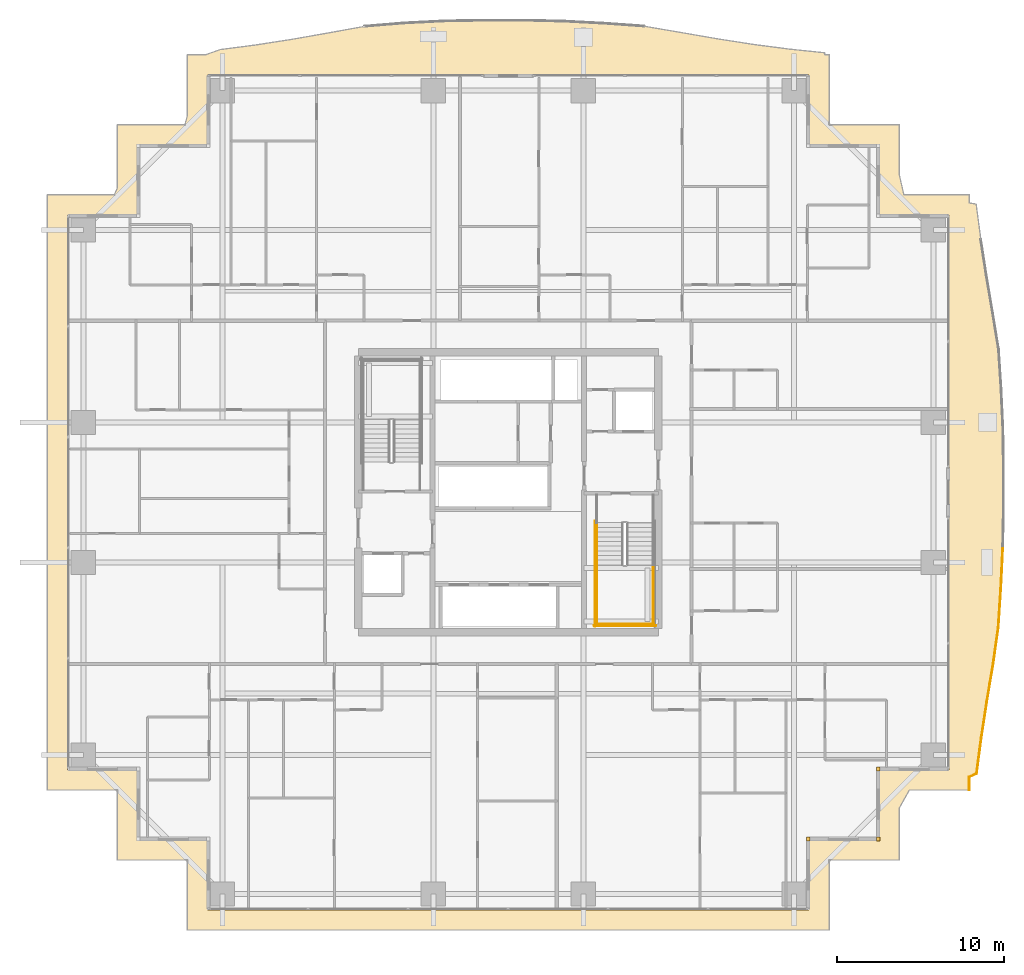
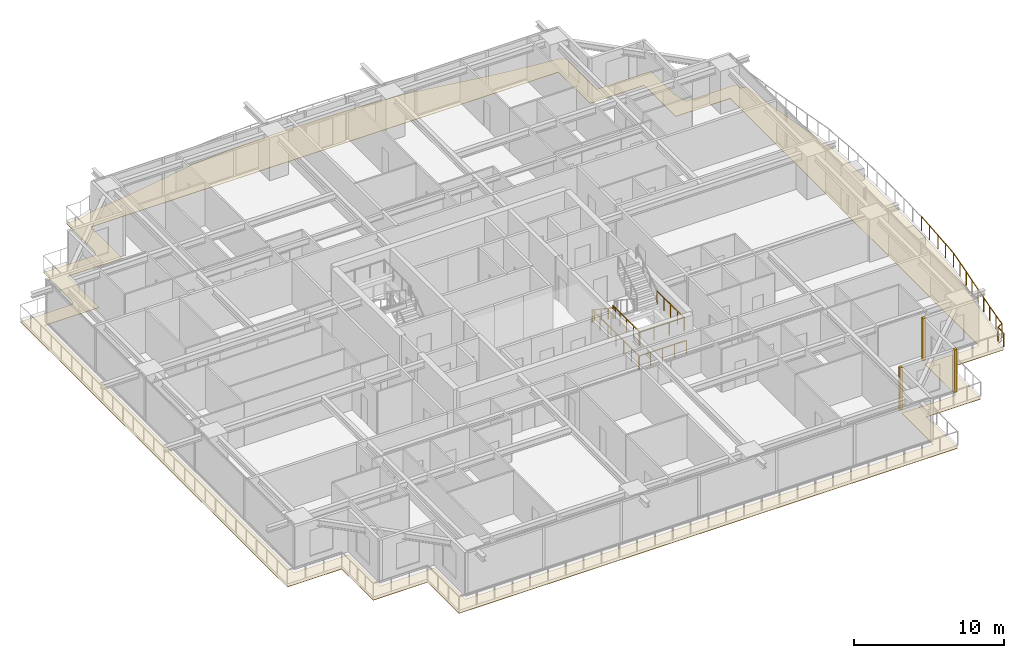
# One storey, part 36 of 38: 7 railings, 4 coverings.
"""IFC4 building model written with IfcOpenShell, lengths in metres."""

from ifc_helpers import new_model, si_unit, direction, frame, origin, origin_2d, place, context, subcontext, project, spatial, polyline, rectangle, circle, outline, extrude, source, transform, mapped, material, layer, layer_set, type_object, element, save


model = new_model("IFC4")

# Units and contexts
model_context = context("Model", 3, precision=1e-05, world=origin(), true_north=direction((0.0, 1.0)))
body_context = subcontext(model_context, "Body", "Model", "MODEL_VIEW")
ifc_project = project(units=[si_unit("LENGTHUNIT", "METRE"), si_unit("AREAUNIT", "SQUARE_METRE"), si_unit("VOLUMEUNIT", "CUBIC_METRE"), si_unit("PLANEANGLEUNIT", "RADIAN"), si_unit("MASSUNIT", "GRAM", prefix="KILO")], contexts=[model_context])

# Site, building, storey
site_placement = place(None, origin())
site = spatial("IfcSite", under=ifc_project, at=site_placement, CompositionType="ELEMENT")
building_placement = place(site_placement, origin())
building = spatial("IfcBuilding", under=site, at=building_placement, Name="Serunith Strait Residences", CompositionType="ELEMENT")
storey_placement = place(building_placement, frame((0.0, 0.0, 82.949951171875)))
storey = spatial("IfcBuildingStorey", under=building, at=storey_placement, Name="L20", CompositionType="ELEMENT", Elevation=82.949951171875)

# Covering
ifc_material_1 = material(Name="Golden Teak Exterior Timber Boarding", Category="wood")
ifc_layer_1 = layer(ifc_material_1, 0.034912109375, Name="Golden Teak Exterior Timber Boarding")
ifc_layer_set_1 = layer_set([ifc_layer_1], Name="Golden Teak Exterior Timber Boarding")
covering_type_1 = type_object("IfcCoveringType", Name="COV-TEAK-SOFFIT", PredefinedType="CEILING", material=ifc_layer_set_1)
covering_placement = place(storey_placement, frame((0.0, 0.0, -0.324951171875)))
element("IfcCovering", 1, at=covering_placement, inside=storey, type_object=covering_type_1, Name="L20 Golden-Teak Balcony Soffit Lining", PredefinedType="CEILING", context=body_context, shape_type="SweptSolid", body=[
    extrude(outline(polyline([(12.99658203125, 47.260009765625), (13.139892578125, 47.802490234375), (13.139892578125, 51.4599609375), (14.251708984375, 51.4599609375), (15.11181640625, 51.77001953125), (17.233154296875, 52.0439453125), (19.373291015625, 52.37646484375), (21.55126953125, 52.758056640625), (23.78759765625, 53.16259765625), (26.139892578125, 53.355712890625), (28.535400390625, 53.476806640625), (30.954833984375, 53.52001953125), (33.382080078125, 53.52001953125), (35.80078125, 53.462646484375), (38.1962890625, 53.337158203125), (40.5576171875, 53.169189453125), (42.808837890625, 52.78515625), (44.99609375, 52.405517578125), (47.14404296875, 52.072509765625), (49.271240234375, 51.796630859375), (51.39111328125, 51.57666015625), (51.390380859375, 51.4599609375), (51.659912109375, 51.4599609375), (51.659912109375, 47.260009765625), (55.860107421875, 47.260009765625), (55.860107421875, 44.250732421875), (56.134521484375, 43.06005859375), (60.06005859375, 43.06005859375), (60.06005859375, 42.563720703125), (60.473388671875, 42.497802734375), (60.75390625, 40.370361328125), (61.08544921875, 38.220703125), (61.455810546875, 36.03173828125), (61.822509765625, 33.781494140625), (61.9755859375, 31.427001953125), (62.084228515625, 29.041748046875), (62.1201171875, 26.63623046875), (62.1201171875, 24.223876953125), (62.070068359375, 21.819091796875), (61.955810546875, 19.434326171875), (61.802001953125, 17.0791015625), (61.47802734375, 14.809814453125), (61.110107421875, 12.612060546875), (60.779296875, 10.454833984375), (60.498291015625, 8.321533203125), (60.06005859375, 8.120361328125), (60.06005859375, 7.340087890625), (56.46728515625, 7.340087890625), (55.860107421875, 6.271484375), (55.860107421875, 3.139892578125), (51.659912109375, 3.139892578125), (51.659912109375, -1.06005859375), (13.139892578125, -1.06005859375), (13.139892578125, 3.139892578125), (8.93994140625, 3.139892578125), (8.93994140625, 7.340087890625), (4.739990234375, 7.340087890625), (4.739990234375, 43.06005859375), (8.7587890625, 43.06005859375), (8.93994140625, 43.457763671875), (8.93994140625, 47.260009765625), (12.99658203125, 47.260009765625)]), holes=[polyline([(50.455078125, 0.14501953125), (50.455078125, 4.344970703125), (54.655029296875, 4.344970703125), (54.655029296875, 8.544921875), (58.85498046875, 8.544921875), (58.85498046875, 41.85498046875), (54.655029296875, 41.85498046875), (54.655029296875, 46.054931640625), (50.455078125, 46.054931640625), (50.455078125, 50.2548828125), (14.344970703125, 50.2548828125), (14.344970703125, 46.054931640625), (10.14501953125, 46.054931640625), (10.14501953125, 41.85498046875), (5.945068359375, 41.85498046875), (5.945068359375, 8.544921875), (10.14501953125, 8.544921875), (10.14501953125, 4.344970703125), (14.344970703125, 4.344970703125), (14.344970703125, 0.14501953125), (50.455078125, 0.14501953125)])]), origin(), (0.0, 0.0, 1.0), 0.034912109375),
])

# Railings
ifc_material_2 = material(Name="Stainless Steel & Laminated Glass Balustrade", Category="steel")
railing_type_1 = type_object("IfcRailingType", Name="RLG-BALC-1150", PredefinedType="BALUSTRADE", material=ifc_material_2)
railing_1_placement = place(storey_placement, frame((62.070068359375, 21.819091796875, -0.050048828125)))
element("IfcRailing", 2, at=railing_1_placement, inside=storey, type_object=railing_type_1, Name="L20 Swirling Balcony Perimeter Balustrade 6", PredefinedType="BALUSTRADE", context=body_context, shape_type="SweptSolid", body=[
    extrude(circle(Radius=0.02392578125, at=origin_2d()), frame((0.0, -0.001953125, 1.1259765625), z_axis=(-0.047856651533, -0.998854214039, 0.0), x_axis=(0.998854214039, -0.047856651533, 0.0)), (0.0, 0.0, 1.0), 2.383544921875),
    extrude(circle(Radius=0.02392578125, at=origin_2d()), frame((-0.114501953125, -2.38671875, 1.1259765625), z_axis=(-0.065166463809, -0.997874406924, 0.0), x_axis=(0.997874406924, -0.065166463809, 0.0)), (0.0, 0.0, 1.0), 2.356201171875),
    extrude(circle(Radius=0.02392578125, at=origin_2d()), frame((-0.268310546875, -4.741943359375, 1.1259765625), z_axis=(-0.141331891614, -0.989962270197, 0.0), x_axis=(0.989962270197, -0.141331891614, 0.0)), (0.0, 0.0, 1.0), 2.288330078125),
    extrude(circle(Radius=0.02392578125, at=origin_2d()), frame((-0.59228515625, -7.01123046875, 1.1259765625), z_axis=(-0.165109615699, -0.986275222645, 0.0), x_axis=(0.986275222645, -0.165109615699, 0.0)), (0.0, 0.0, 1.0), 2.224365234375),
    extrude(circle(Radius=0.02392578125, at=origin_2d()), frame((-0.960205078125, -9.208984375, 1.1259765625), z_axis=(-0.151578019095, -0.988445296477, 0.0), x_axis=(0.988445296477, -0.151578019095, 0.0)), (0.0, 0.0, 1.0), 2.178466796875),
    extrude(circle(Radius=0.02392578125, at=origin_2d()), frame((-1.291015625, -11.3662109375, 1.1259765625), z_axis=(-0.130595393275, -0.991435748425, 0.0), x_axis=(0.991435748425, -0.130595393275, 0.0)), (0.0, 0.0, 1.0), 2.147705078125),
    extrude(circle(Radius=0.02392578125, at=origin_2d()), frame((-1.573486328125, -13.498291015625, 1.1259765625), z_axis=(-0.908816957931, -0.417195082638, 0.0), x_axis=(0.417195082638, -0.908816957931, 0.0)), (0.0, 0.0, 1.0), 0.478271484375),
    extrude(circle(Radius=0.02392578125, at=origin_2d()), frame((-2.010009765625, -13.70068359375, 1.1259765625), z_axis=(0.0, -1.0, 0.0), x_axis=(1.0, 0.0, 0.0)), (0.0, 0.0, 1.0), 0.7763671875),
    extrude(circle(Radius=0.02099609375, at=origin_2d()), origin(), (0.0, 0.0, 1.0), 1.099853515625),
    extrude(circle(Radius=0.02099609375, at=origin_2d()), frame((-0.05712890625, -1.1923828125, 0.0)), (0.0, 0.0, 1.0), 1.099853515625),
    extrude(circle(Radius=0.02099609375, at=origin_2d()), frame((-0.1142578125, -2.384765625, 0.0)), (0.0, 0.0, 1.0), 1.099853515625),
    extrude(circle(Radius=0.02099609375, at=origin_2d()), frame((-0.191162109375, -3.5625, 0.0)), (0.0, 0.0, 1.0), 1.099853515625),
    extrude(circle(Radius=0.02099609375, at=origin_2d()), frame((-0.26806640625, -4.739990234375, 0.0)), (0.0, 0.0, 1.0), 1.099853515625),
    extrude(circle(Radius=0.02099609375, at=origin_2d()), frame((-0.43017578125, -5.87451171875, 0.0)), (0.0, 0.0, 1.0), 1.099853515625),
    extrude(circle(Radius=0.02099609375, at=origin_2d()), frame((-0.592041015625, -7.00927734375, 0.0)), (0.0, 0.0, 1.0), 1.099853515625),
    extrude(circle(Radius=0.02099609375, at=origin_2d()), frame((-0.77587890625, -8.108154296875, 0.0)), (0.0, 0.0, 1.0), 1.099853515625),
    extrude(circle(Radius=0.02099609375, at=origin_2d()), frame((-0.9599609375, -9.20703125, 0.0)), (0.0, 0.0, 1.0), 1.099853515625),
    extrude(circle(Radius=0.02099609375, at=origin_2d()), frame((-1.12548828125, -10.28564453125, 0.0)), (0.0, 0.0, 1.0), 1.099853515625),
    extrude(circle(Radius=0.02099609375, at=origin_2d()), frame((-1.290771484375, -11.3642578125, 0.0)), (0.0, 0.0, 1.0), 1.099853515625),
    extrude(circle(Radius=0.02099609375, at=origin_2d()), frame((-1.43115234375, -12.430908203125, 0.0)), (0.0, 0.0, 1.0), 1.099853515625),
    extrude(circle(Radius=0.02099609375, at=origin_2d()), frame((-1.57177734375, -13.49755859375, 0.0)), (0.0, 0.0, 1.0), 1.099853515625),
    extrude(circle(Radius=0.02099609375, at=origin_2d()), frame((-2.010009765625, -13.69873046875, 0.0)), (0.0, 0.0, 1.0), 1.099853515625),
    extrude(circle(Radius=0.02099609375, at=origin_2d()), frame((-2.010009765625, -14.47900390625, 0.0)), (0.0, 0.0, 1.0), 1.099853515625),
])
ifc_material_3 = material(Name="Brushed stainless steel 316L", Category="steel")
railing_type_2 = type_object("IfcRailingType", Name="RLG-STAIR-GUARD", PredefinedType="BALUSTRADE", material=ifc_material_3)
for number, where, name in (
    (3, (37.699951171875, 20.85009765625, 1.875), "L20 ST-2 stair guard 3"),
    (4, (41.10009765625, 20.85009765625, 1.875), "L20 ST-2 stair guard 4"),
):
    element("IfcRailing", number, at=place(storey_placement, frame(where)), inside=storey, type_object=railing_type_2, Name=name, PredefinedType="BALUSTRADE", context=body_context, shape_type="SweptSolid", body=[
        extrude(circle(Radius=0.02392578125, at=origin_2d()), frame((0.0, -0.001953125, 1.076171875), z_axis=(0.0, -1.0, 0.0), x_axis=(1.0, 0.0, 0.0)), (0.0, 0.0, 1.0), 3.59619140625),
        extrude(circle(Radius=0.02099609375, at=origin_2d()), origin(), (0.0, 0.0, 1.0), 1.050048828125),
        extrude(circle(Radius=0.02099609375, at=origin_2d()), frame((0.0, -0.89990234375, 0.0)), (0.0, 0.0, 1.0), 1.050048828125),
        extrude(circle(Radius=0.02099609375, at=origin_2d()), frame((0.0, -1.800048828125, 0.0)), (0.0, 0.0, 1.0), 1.050048828125),
        extrude(circle(Radius=0.02099609375, at=origin_2d()), frame((0.0, -2.7001953125, 0.0)), (0.0, 0.0, 1.0), 1.050048828125),
        extrude(circle(Radius=0.02099609375, at=origin_2d()), frame((0.0, -3.60009765625, 0.0)), (0.0, 0.0, 1.0), 1.050048828125),
    ])
railing_2_placement = place(storey_placement, frame((37.64990234375, 17.300048828125, 1.875)))
element("IfcRailing", 5, at=railing_2_placement, inside=storey, type_object=railing_type_2, Name="L20 ST-2 stair guard 5", PredefinedType="BALUSTRADE", context=body_context, shape_type="SweptSolid", body=[
    extrude(circle(Radius=0.02392578125, at=origin_2d()), frame((0.001953125, 0.0, 1.076171875), z_axis=(1.0, 0.0, 0.0), x_axis=(0.0, 1.0, 0.0)), (0.0, 0.0, 1.0), 3.49609375),
    extrude(circle(Radius=0.02099609375, at=origin_2d()), origin(), (0.0, 0.0, 1.0), 1.050048828125),
    extrude(circle(Radius=0.02099609375, at=origin_2d()), frame((1.166748046875, 0.0, 0.0)), (0.0, 0.0, 1.0), 1.050048828125),
    extrude(circle(Radius=0.02099609375, at=origin_2d()), frame((2.333251953125, 0.0, 0.0)), (0.0, 0.0, 1.0), 1.050048828125),
    extrude(circle(Radius=0.02099609375, at=origin_2d()), frame((3.5, 0.0, 0.0)), (0.0, 0.0, 1.0), 1.050048828125),
])
railing_3_placement = place(storey_placement, frame((37.60009765625, 23.469970703125, 0.0)))
element("IfcRailing", 6, at=railing_3_placement, inside=storey, type_object=railing_type_2, Name="L20 ST-2 stair guard 10", PredefinedType="BALUSTRADE", context=body_context, shape_type="SweptSolid", body=[
    extrude(circle(Radius=0.02392578125, at=origin_2d()), frame((0.0, -0.001953125, 1.076171875), z_axis=(0.0, -1.0, 0.0), x_axis=(1.0, 0.0, 0.0)), (0.0, 0.0, 1.0), 6.316162109375),
    extrude(circle(Radius=0.02099609375, at=origin_2d()), origin(), (0.0, 0.0, 1.0), 1.050048828125),
    extrude(circle(Radius=0.02099609375, at=origin_2d()), frame((0.0, -1.05322265625, 0.0)), (0.0, 0.0, 1.0), 1.050048828125),
    extrude(circle(Radius=0.02099609375, at=origin_2d()), frame((0.0, -2.106689453125, 0.0)), (0.0, 0.0, 1.0), 1.050048828125),
    extrude(circle(Radius=0.02099609375, at=origin_2d()), frame((0.0, -3.16015625, 0.0)), (0.0, 0.0, 1.0), 1.050048828125),
    extrude(circle(Radius=0.02099609375, at=origin_2d()), frame((0.0, -4.21337890625, 0.0)), (0.0, 0.0, 1.0), 1.050048828125),
    extrude(circle(Radius=0.02099609375, at=origin_2d()), frame((0.0, -5.2666015625, 0.0)), (0.0, 0.0, 1.0), 1.050048828125),
    extrude(circle(Radius=0.02099609375, at=origin_2d()), frame((0.0, -6.320068359375, 0.0)), (0.0, 0.0, 1.0), 1.050048828125),
])
railing_4_placement = place(storey_placement, frame((37.550048828125, 17.199951171875, 0.0)))
element("IfcRailing", 7, at=railing_4_placement, inside=storey, type_object=railing_type_2, Name="L20 ST-2 stair guard 12", PredefinedType="BALUSTRADE", context=body_context, shape_type="SweptSolid", body=[
    extrude(circle(Radius=0.02392578125, at=origin_2d()), frame((0.001953125, 0.0, 1.076171875), z_axis=(1.0, 0.0, 0.0), x_axis=(0.0, 1.0, 0.0)), (0.0, 0.0, 1.0), 3.696044921875),
    extrude(circle(Radius=0.02099609375, at=origin_2d()), origin(), (0.0, 0.0, 1.0), 1.050048828125),
    extrude(circle(Radius=0.02099609375, at=origin_2d()), frame((0.925048828125, 0.0, 0.0)), (0.0, 0.0, 1.0), 1.050048828125),
    extrude(circle(Radius=0.02099609375, at=origin_2d()), frame((1.85009765625, 0.0, 0.0)), (0.0, 0.0, 1.0), 1.050048828125),
    extrude(circle(Radius=0.02099609375, at=origin_2d()), frame((2.77490234375, 0.0, 0.0)), (0.0, 0.0, 1.0), 1.050048828125),
    extrude(circle(Radius=0.02099609375, at=origin_2d()), frame((3.699951171875, 0.0, 0.0)), (0.0, 0.0, 1.0), 1.050048828125),
])
railing_type_3 = type_object("IfcRailingType", Name="RLG-STAIR-HR", PredefinedType="HANDRAIL", material=ifc_material_3)
railing_5_placement = place(storey_placement, frame((37.699951171875, 23.3701171875, 0.1875)))
element("IfcRailing", 8, at=railing_5_placement, inside=storey, type_object=railing_type_3, Name="L20 ST-2 stair handrail 1", PredefinedType="HANDRAIL", context=body_context, shape_type="SweptSolid", body=[
    extrude(circle(Radius=0.02392578125, at=origin_2d()), frame((0.0, -0.001708984375, 0.876953125), z_axis=(0.0, -0.830208209119, 0.557453432594), x_axis=(1.0, 0.0, 0.0)), (0.0, 0.0, 1.0), 3.36865234375),
    extrude(circle(Radius=0.02099609375, at=origin_2d()), origin(), (0.0, 0.0, 1.0), 0.849853515625),
    extrude(circle(Radius=0.02099609375, at=origin_2d()), frame((0.0, -0.933349609375, 0.626708984375)), (0.0, 0.0, 1.0), 0.849853515625),
    extrude(circle(Radius=0.02099609375, at=origin_2d()), frame((0.0, -1.86669921875, 1.25341796875)), (0.0, 0.0, 1.0), 0.849853515625),
    extrude(circle(Radius=0.02099609375, at=origin_2d()), frame((0.0, -2.800048828125, 1.880126953125)), (0.0, 0.0, 1.0), 0.849853515625),
])

# Coverings
ifc_material_4 = material(Name="Pale-Champagne Anodised Aluminium", Category="aluminium")
ifc_layer_2 = layer(ifc_material_4, 0.219970703125, Name="Pale-Champagne Anodised Aluminium")
ifc_layer_set_2 = layer_set([ifc_layer_2], Name="Pale-Champagne Anodised Aluminium")
covering_type_2 = type_object("IfcCoveringType", Name="COV-CORN-TRIM", PredefinedType="CLADDING", material=ifc_layer_set_2)
shared_shape = source(origin(), body_context, "Body", "SweptSolid", [
    extrude(rectangle(XDim=0.221923828125, YDim=0.221923828125, at=origin_2d()), origin(), (0.0, 0.0, 1.0), 3.47509765625),
])
for number, where, z_axis, x_axis, name in (
    (9, (50.39990234375, 4.39990234375, 0.0), (0.0, 0.0, 1.0), (1.0, 0.0, 0.0), "L20 Girih Serrated Corner Trim Post 02"),
    (10, (54.60009765625, 4.39990234375, 0.0), (0.0, 0.0, 1.0), (1.0, 0.0, 0.0), "L20 Girih Serrated Corner Trim Post 03"),
    (11, (54.60009765625, 8.60009765625, 0.0), (0.0, 0.0, 1.0), (1.0, 0.0, 0.0), "L20 Girih Serrated Corner Trim Post 04"),
):
    element("IfcCovering", number, at=place(storey_placement, frame(where, z_axis=z_axis, x_axis=x_axis)), inside=storey, type_object=covering_type_2, Name=name, PredefinedType="CLADDING", context=body_context, shape_type="MappedRepresentation", body=[
        mapped(shared_shape, transform((0.0, 0.0, 0.0), scale=1.0)),
    ])

save(model, "model.ifc")
